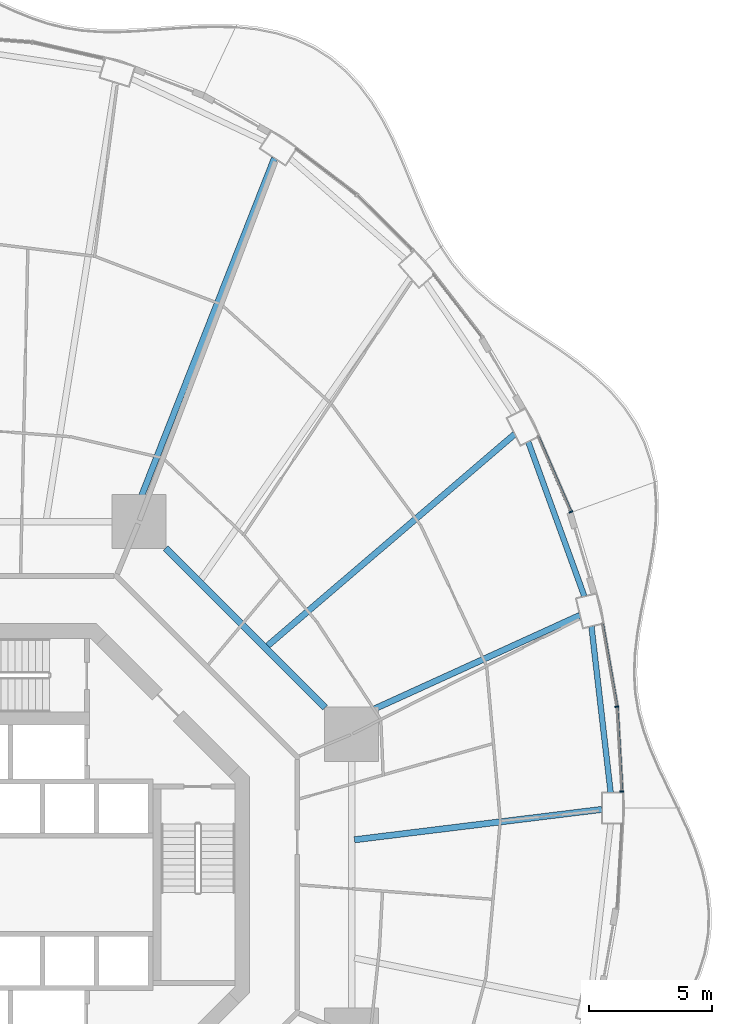
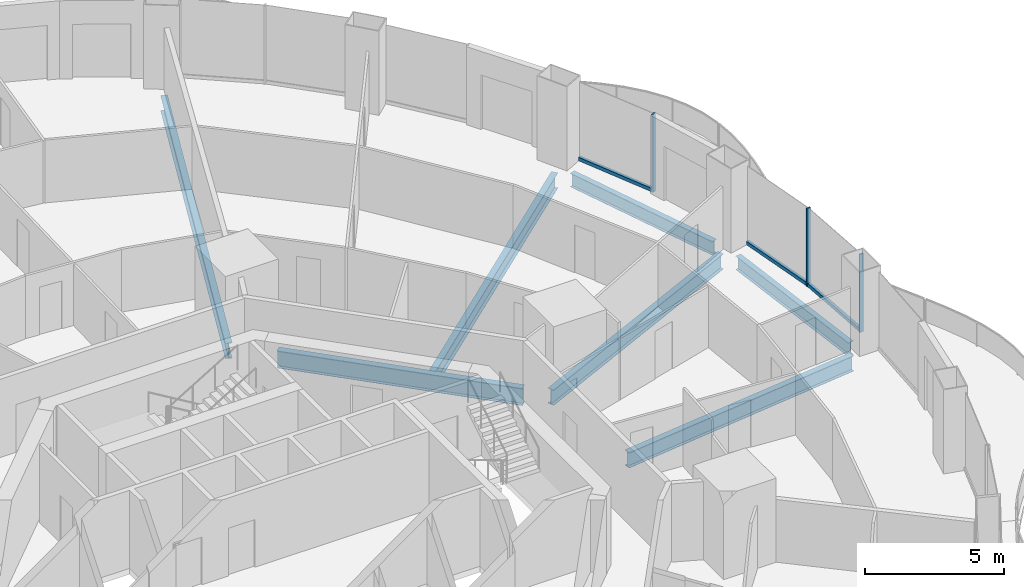
# One storey, part 10 of 22: 7 beams, 6 members, 3 elements without a shape of their own.
"""IFC4 building model written with IfcOpenShell, lengths in metres."""

from ifc_helpers import new_model, si_unit, direction, frame, origin, origin_2d, place, context, subcontext, project, spatial, rectangle, i_section, extrude, material, layer, layer_set, material_profile, profile_set, type_object, element, aggregate, save


model = new_model("IFC4")

# Units and contexts
model_context = context("Model", 3, precision=1e-05, world=origin(), true_north=direction((0.0, 1.0)))
body_context = subcontext(model_context, "Body", "Model", "MODEL_VIEW")
ifc_project = project(units=[si_unit("LENGTHUNIT", "METRE"), si_unit("AREAUNIT", "SQUARE_METRE"), si_unit("VOLUMEUNIT", "CUBIC_METRE"), si_unit("PLANEANGLEUNIT", "RADIAN"), si_unit("MASSUNIT", "GRAM", prefix="KILO")], contexts=[model_context])

# Site, building, storey
site_placement = place(None, origin())
site = spatial("IfcSite", under=ifc_project, at=site_placement, CompositionType="ELEMENT")
building_placement = place(site_placement, origin())
building = spatial("IfcBuilding", under=site, at=building_placement, Name="Nagisa Residences", CompositionType="ELEMENT")
storey_placement = place(building_placement, frame((0.0, 0.0, 84.39990234375)))
storey = spatial("IfcBuildingStorey", under=building, at=storey_placement, Name="L20", CompositionType="ELEMENT", Elevation=84.39990234375)

# Curtain wall, member
ifc_material_1 = material(Name="Concrete-coloured aluminium curtain wall system", Category="concrete")
ifc_layer = layer(ifc_material_1, 0.159912109375)
ifc_layer_set = layer_set([ifc_layer], Name="CW1 CURTAIN WALL")
curtain_wall_type = type_object("IfcCurtainWallType", Name="CW1 CURTAIN WALL", PredefinedType="NOTDEFINED", material=ifc_layer_set)
curtain_wall_1_placement = place(storey_placement, origin())
curtain_wall_1 = element("IfcCurtainWall", 1, at=curtain_wall_1_placement, inside=storey, type_object=curtain_wall_type, Name="cw:CW1:L20:00", PredefinedType="NOTDEFINED")
ifc_material_2 = material(Name="Concrete-coloured aluminium", Category="concrete")
ifc_material_profile_1 = material_profile(ifc_material_2, rectangle(XDim=0.159912109375, YDim=0.06005859375, at=origin_2d()), Name="CW1 MULLION 160x60")
ifc_profile_set_1 = profile_set([ifc_material_profile_1], Name="Concrete-coloured aluminium")
member_type_1 = type_object("IfcMemberType", Name="CW1 MULLION 160x60", PredefinedType="MULLION", material=ifc_profile_set_1)
member_1_placement = place(storey_placement, frame((25.776123046875, 3.7919921875, 0.0), z_axis=(0.0, 0.0, 1.0), x_axis=(-0.998345305184, -0.057503492216, 0.0)))
member_1 = element("IfcMember", 2, at=member_1_placement, type_object=member_type_1, Name="CW1 mullion", PredefinedType="MULLION", context=body_context, shape_type="SweptSolid", body=[
    extrude(rectangle(XDim=0.159912109375, YDim=0.06005859375, at=origin_2d()), origin(), (0.0, 0.0, 1.0), 3.440185546875),
])

curtain_wall_2_placement = place(storey_placement, origin())
curtain_wall_2 = element("IfcCurtainWall", 3, at=curtain_wall_2_placement, inside=storey, type_object=curtain_wall_type, Name="cw:CW1:L20:01", PredefinedType="NOTDEFINED")
member_2_placement = place(storey_placement, frame((25.573974609375, 7.2470703125, 0.0), z_axis=(0.0, 0.0, 1.0), x_axis=(-0.985063604377, -0.172190868898, 0.0)))
member_2 = element("IfcMember", 4, at=member_2_placement, type_object=member_type_1, Name="CW1 mullion", PredefinedType="MULLION", context=body_context, shape_type="SweptSolid", body=[
    extrude(rectangle(XDim=0.159912109375, YDim=0.06005859375, at=origin_2d()), origin(), (0.0, 0.0, 1.0), 3.440185546875),
])

curtain_wall_3_placement = place(storey_placement, origin())
curtain_wall_3 = element("IfcCurtainWall", 5, at=curtain_wall_3_placement, inside=storey, type_object=curtain_wall_type, Name="cw:CW1:L20:03", PredefinedType="NOTDEFINED")
member_3_placement = place(storey_placement, frame((23.701416015625, 15.173583984375, 0.0), z_axis=(0.0, 0.0, 1.0), x_axis=(-0.917543276295, -0.397635934147, 0.0)))
member_3 = element("IfcMember", 6, at=member_3_placement, type_object=member_type_1, Name="CW1 mullion", PredefinedType="MULLION", context=body_context, shape_type="SweptSolid", body=[
    extrude(rectangle(XDim=0.159912109375, YDim=0.06005859375, at=origin_2d()), origin(), (0.0, 0.0, 1.0), 3.440185546875),
])

# Member
ifc_material_3 = material(Name="Concrete-coloured aluminium", Category="concrete")
ifc_material_profile_2 = material_profile(ifc_material_3, rectangle(XDim=0.1201171875, YDim=0.14990234375, at=origin_2d()), Name="CW1 TRANSOM 120x150")
ifc_profile_set_2 = profile_set([ifc_material_profile_2], Name="Concrete-coloured aluminium")
member_type_2 = type_object("IfcMemberType", Name="CW1 TRANSOM 120x150", PredefinedType="USERDEFINED", material=ifc_profile_set_2)
member_4_placement = place(storey_placement, frame((25.77783203125, 3.761962890625, 0.0751953125), z_axis=(-0.057546644052, 0.998342818754, 0.0), x_axis=(-0.998342818754, -0.057546644052, 0.0)))
member_4 = element("IfcMember", 7, at=member_4_placement, type_object=member_type_2, Name="CW1 transom", ObjectType="TRANSOM", PredefinedType="USERDEFINED", context=body_context, shape_type="SweptSolid", body=[
    extrude(rectangle(XDim=0.1201171875, YDim=0.14990234375, at=origin_2d()), origin(), (0.0, 0.0, 1.0), 3.470458984375),
])

aggregate(curtain_wall_1, [member_1, member_4])

member_5_placement = place(storey_placement, frame((25.579345703125, 7.217529296875, 0.0751953125), z_axis=(-0.17223289558, 0.985056257114, 0.0), x_axis=(-0.985056257114, -0.17223289558, 0.0)))
member_5 = element("IfcMember", 8, at=member_5_placement, type_object=member_type_2, Name="CW1 transom", ObjectType="TRANSOM", PredefinedType="USERDEFINED", context=body_context, shape_type="SweptSolid", body=[
    extrude(rectangle(XDim=0.1201171875, YDim=0.14990234375, at=origin_2d()), origin(), (0.0, 0.0, 1.0), 3.454345703125),
])

aggregate(curtain_wall_2, [member_2, member_5])

member_6_placement = place(storey_placement, frame((23.71337890625, 15.146240234375, 0.0751953125), z_axis=(-0.397621629246, 0.917549475481, 0.0), x_axis=(-0.917549475481, -0.397621629246, 0.0)))
member_6 = element("IfcMember", 9, at=member_6_placement, type_object=member_type_2, Name="CW1 transom", ObjectType="TRANSOM", PredefinedType="USERDEFINED", context=body_context, shape_type="SweptSolid", body=[
    extrude(rectangle(XDim=0.1201171875, YDim=0.14990234375, at=origin_2d()), origin(), (0.0, 0.0, 1.0), 3.37939453125),
])

aggregate(curtain_wall_3, [member_3, member_6])

# Beams
ifc_material_4 = material(Name="Steel ASTM A572 Gr 50", Category="steel")
ifc_material_profile_3 = material_profile(ifc_material_4, i_section(OverallWidth=0.264892578125, OverallDepth=0.7529296875, WebThickness=0.01318359375, FlangeThickness=0.01708984375, at=origin_2d()), Name="W760x147")
ifc_profile_set_3 = profile_set([ifc_material_profile_3], Name="Steel ASTM A572 Gr 50")
beam_type_1 = type_object("IfcBeamType", Name="Inner ring beam W760x147", PredefinedType="BEAM", material=ifc_profile_set_3)
beam_1_placement = place(storey_placement, frame((13.6962890625, 7.208740234375, -0.636474609375), z_axis=(-0.707106781187, 0.707106781187, 0.0), x_axis=(-0.707106781187, -0.707106781187, 0.0)))
element("IfcBeam", 10, at=beam_1_placement, inside=storey, type_object=beam_type_1, Name="beam:L20:ib1", PredefinedType="BEAM", context=body_context, shape_type="SweptSolid", body=[
    extrude(i_section(OverallWidth=0.264892578125, OverallDepth=0.7529296875, WebThickness=0.01318359375, FlangeThickness=0.01708984375, at=origin_2d()), origin(), (0.0, 0.0, 1.0), 9.1748046875),
])
ifc_material_5 = material(Name="Steel ASTM A572 Gr 50", Category="steel")
ifc_material_profile_4 = material_profile(ifc_material_5, i_section(OverallWidth=0.22802734375, OverallDepth=0.60302734375, WebThickness=0.010498046875, FlangeThickness=0.014892578125, at=origin_2d()), Name="W610x101")
ifc_profile_set_4 = profile_set([ifc_material_profile_4], Name="Steel ASTM A572 Gr 50")
beam_type_2 = type_object("IfcBeamType", Name="Perimeter ring beam W610x101", PredefinedType="BEAM", material=ifc_profile_set_4)
beam_2_placement = place(storey_placement, frame((25.322265625, 3.747802734375, -0.5615234375), z_axis=(-0.114690766503, 0.993401242237, 0.0), x_axis=(-0.993401242237, -0.114690766503, 0.0)))
element("IfcBeam", 11, at=beam_2_placement, inside=storey, type_object=beam_type_2, Name="beam:L20:pb01", PredefinedType="BEAM", context=body_context, shape_type="SweptSolid", body=[
    extrude(i_section(OverallWidth=0.22802734375, OverallDepth=0.60302734375, WebThickness=0.010498046875, FlangeThickness=0.014892578125, at=origin_2d()), origin(), (0.0, 0.0, 1.0), 6.811767578125),
])
beam_3_placement = place(storey_placement, frame((24.251708984375, 11.7412109375, -0.5615234375), z_axis=(-0.341365002286, 0.939930814057, 0.0), x_axis=(-0.939930814057, -0.341365002286, 0.0)))
element("IfcBeam", 12, at=beam_3_placement, inside=storey, type_object=beam_type_2, Name="beam:L20:pb02", PredefinedType="BEAM", context=body_context, shape_type="SweptSolid", body=[
    extrude(i_section(OverallWidth=0.22802734375, OverallDepth=0.60302734375, WebThickness=0.010498046875, FlangeThickness=0.014892578125, at=origin_2d()), origin(), (0.0, 0.0, 1.0), 6.689208984375),
])
ifc_material_6 = material(Name="Steel ASTM A572 Gr 50", Category="steel")
ifc_material_profile_5 = material_profile(ifc_material_6, i_section(OverallWidth=0.2529296875, OverallDepth=0.677978515625, WebThickness=0.01171875, FlangeThickness=0.016357421875, at=origin_2d()), Name="W690x125")
ifc_profile_set_5 = profile_set([ifc_material_profile_5], Name="Steel ASTM A572 Gr 50")
beam_type_3 = type_object("IfcBeamType", Name="Radial beam W690x125", PredefinedType="BEAM", material=ifc_profile_set_5)
beam_4_placement = place(storey_placement, frame((24.96484375, 3.06494140625, -0.598876953125), z_axis=(-0.992547591761, -0.121857614, 0.0), x_axis=(0.121857614, -0.992547591761, 0.0)))
element("IfcBeam", 13, at=beam_4_placement, inside=storey, type_object=beam_type_3, Name="beam:L20:rb01", PredefinedType="BEAM", context=body_context, shape_type="SweptSolid", body=[
    extrude(i_section(OverallWidth=0.2529296875, OverallDepth=0.677978515625, WebThickness=0.01171875, FlangeThickness=0.016357421875, at=origin_2d()), origin(), (0.0, 0.0, 1.0), 10.145751953125),
])
beam_5_placement = place(storey_placement, frame((24.069091796875, 10.963134765625, -0.598876953125), z_axis=(-0.91004744246, -0.414504104288, 0.0), x_axis=(0.414504104288, -0.91004744246, 0.0)))
element("IfcBeam", 14, at=beam_5_placement, inside=storey, type_object=beam_type_3, Name="beam:L20:rb02", PredefinedType="BEAM", context=body_context, shape_type="SweptSolid", body=[
    extrude(i_section(OverallWidth=0.2529296875, OverallDepth=0.677978515625, WebThickness=0.01171875, FlangeThickness=0.016357421875, at=origin_2d()), origin(), (0.0, 0.0, 1.0), 10.544189453125),
])
beam_6_placement = place(storey_placement, frame((21.4150390625, 18.3369140625, -0.598876953125), z_axis=(-0.759585472841, -0.650407494921, 0.0), x_axis=(0.650407494921, -0.759585472841, 0.0)))
element("IfcBeam", 15, at=beam_6_placement, inside=storey, type_object=beam_type_3, Name="beam:L20:rb03", PredefinedType="BEAM", context=body_context, shape_type="SweptSolid", body=[
    extrude(i_section(OverallWidth=0.2529296875, OverallDepth=0.677978515625, WebThickness=0.01171875, FlangeThickness=0.016357421875, at=origin_2d()), origin(), (0.0, 0.0, 1.0), 13.25390625),
])
beam_7_placement = place(storey_placement, frame((11.636474609375, 29.568359375, -0.598876953125), z_axis=(-0.366203217464, -0.930534901828, 0.0), x_axis=(0.930534901828, -0.366203217464, 0.0)))
element("IfcBeam", 16, at=beam_7_placement, inside=storey, type_object=beam_type_3, Name="beam:L20:rb05", PredefinedType="BEAM", context=body_context, shape_type="SweptSolid", body=[
    extrude(i_section(OverallWidth=0.2529296875, OverallDepth=0.677978515625, WebThickness=0.01171875, FlangeThickness=0.016357421875, at=origin_2d()), origin(), (0.0, 0.0, 1.0), 15.767578125),
])

save(model, "model.ifc")
